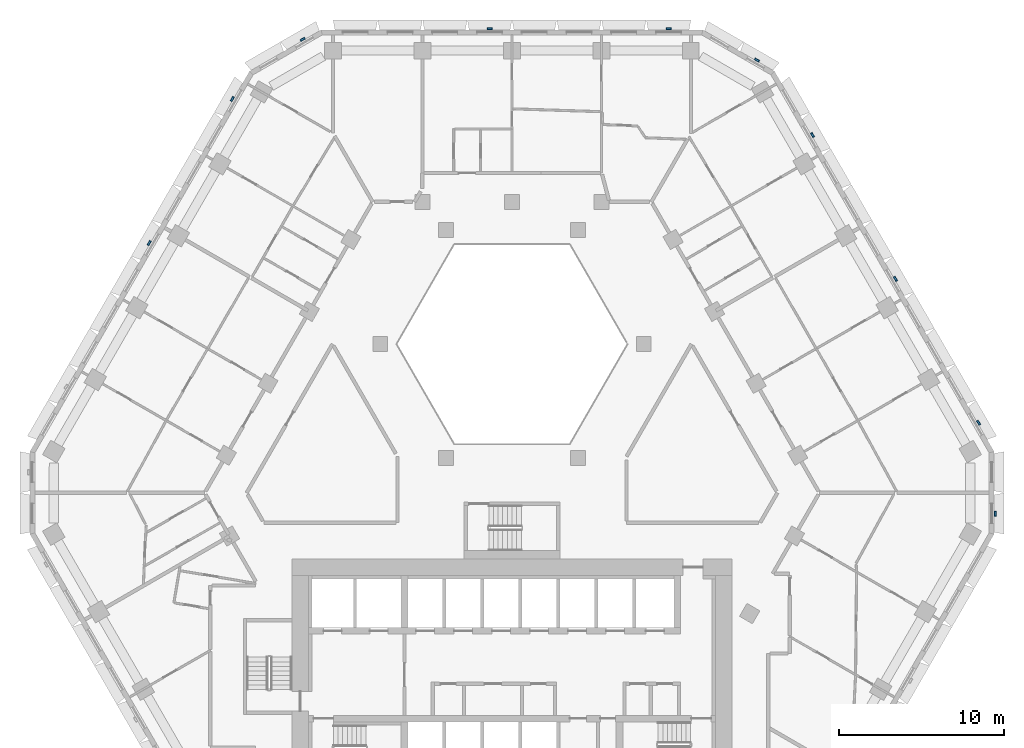
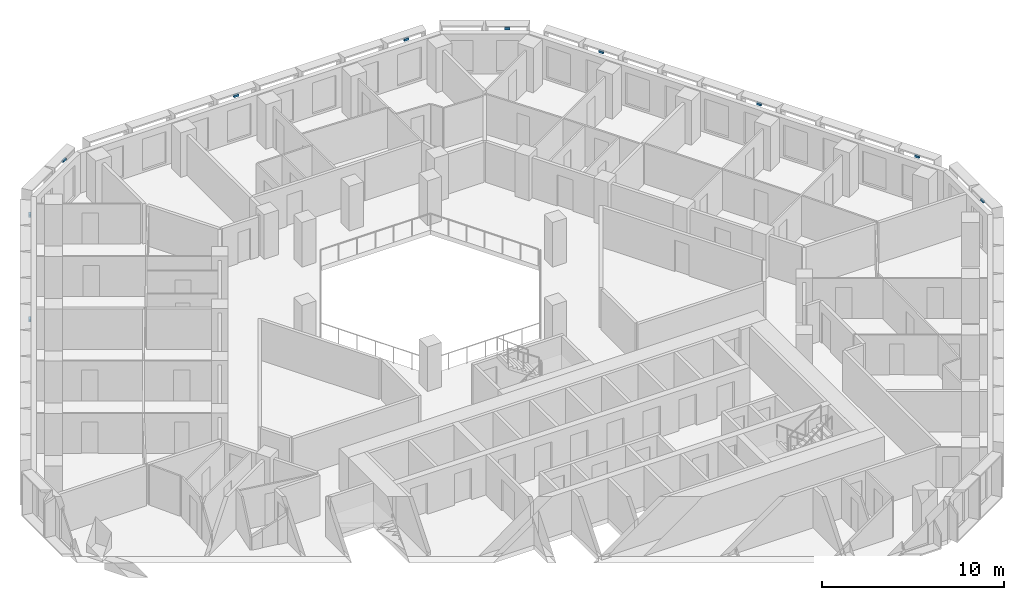
# One storey, part 12 of 18: 10 discrete accessories.
"""IFC4 building model written with IfcOpenShell, lengths in metres."""

from ifc_helpers import new_model, si_unit, direction, frame, origin, place, context, subcontext, project, spatial, polyline, outline, extrude, source, transform, mapped, material, type_object, type_shapes, element, save


model = new_model("IFC4")

# Units and contexts
model_context = context("Model", 3, precision=1e-05, world=origin(), true_north=direction((0.0, 1.0)))
body_context = subcontext(model_context, "Body", "Model", "MODEL_VIEW")
ifc_project = project(units=[si_unit("LENGTHUNIT", "METRE"), si_unit("AREAUNIT", "SQUARE_METRE"), si_unit("VOLUMEUNIT", "CUBIC_METRE"), si_unit("PLANEANGLEUNIT", "RADIAN"), si_unit("MASSUNIT", "GRAM", prefix="KILO")], contexts=[model_context])

# Site, building, storey
site_placement = place(None, origin())
site = spatial("IfcSite", under=ifc_project, at=site_placement, CompositionType="ELEMENT")
building_placement = place(site_placement, origin())
building = spatial("IfcBuilding", under=site, at=building_placement, Name="Beryl Residences", CompositionType="ELEMENT")
storey_placement = place(building_placement, frame((0.0, 0.0, 93.0)))
storey = spatial("IfcBuildingStorey", under=building, at=storey_placement, Name="L28", CompositionType="ELEMENT", Elevation=93.0)

# Discrete accessories
ifc_material = material(Name="Steel S355", Category="steel")
discrete_accessory_type = type_object("IfcDiscreteAccessoryType", Name="BR1 frame bracket 300 x 120 x 150 mm", PredefinedType="BRACKET", material=ifc_material)
shared_shape = source(origin(), body_context, "Body", "SweptSolid", [
    extrude(outline(polyline([(-0.14990234375, 0.0), (0.14990234375, 0.0), (0.14990234375, 0.1201171875), (-0.14990234375, 0.1201171875), (-0.14990234375, 0.0)])), origin(), (0.0, 0.0, 1.0), 0.14990234375),
])
type_shapes(discrete_accessory_type, [shared_shape])
for number, where, z_axis, x_axis, name in (
    (1, (9.471923828125, 27.0, 2.75), (0.0, 0.0, 1.0), (1.0, 0.0, 0.0), "BR1 bracket L28 N 1"),
    (2, (-1.35400390625, 27.0, 2.75), (0.0, 0.0, 1.0), (1.0, 0.0, 0.0), "BR1 bracket L28 N 5"),
    (3, (-12.6298828125, 26.375, 2.75), (0.0, 0.0, 1.0), (0.866025403784, 0.5, 0.0), "BR1 bracket L28 N-NW 1"),
    (4, (-16.865966796875, 22.7880859375, 2.75), (0.0, 0.0, 1.0), (0.5, 0.866025403784, 0.0), "BR1 bracket L28 NW 1"),
    (5, (-21.888916015625, 14.087890625, 2.75), (0.0, 0.0, 1.0), (0.5, 0.866025403784, 0.0), "BR1 bracket L28 NW 5"),
    (6, (29.156982421875, -2.25, 2.75), (0.0, 0.0, 1.0), (0.0, -1.0, 0.0), "BR1 bracket L28 SE-NE 1"),
    (7, (28.16796875, 3.2119140625, 2.75), (0.0, 0.0, 1.0), (0.5, -0.866025403784, 0.0), "BR1 bracket L28 NE 1"),
    (8, (23.14501953125, 11.912109375, 2.75), (0.0, 0.0, 1.0), (0.5, -0.866025403784, 0.0), "BR1 bracket L28 NE 5"),
    (9, (18.1220703125, 20.612060546875, 2.75), (0.0, 0.0, 1.0), (0.5, -0.866025403784, 0.0), "BR1 bracket L28 NE 9"),
    (10, (14.7939453125, 25.125, 2.75), (0.0, 0.0, 1.0), (0.866025403784, -0.5, 0.0), "BR1 bracket L28 NE-N 1"),
):
    element("IfcDiscreteAccessory", number, at=place(storey_placement, frame(where, z_axis=z_axis, x_axis=x_axis)), inside=storey, type_object=discrete_accessory_type, Name=name, PredefinedType="BRACKET", context=body_context, shape_type="MappedRepresentation", body=[
        mapped(shared_shape, transform((0.0, 0.0, 0.0))),
    ])

save(model, "model.ifc")
